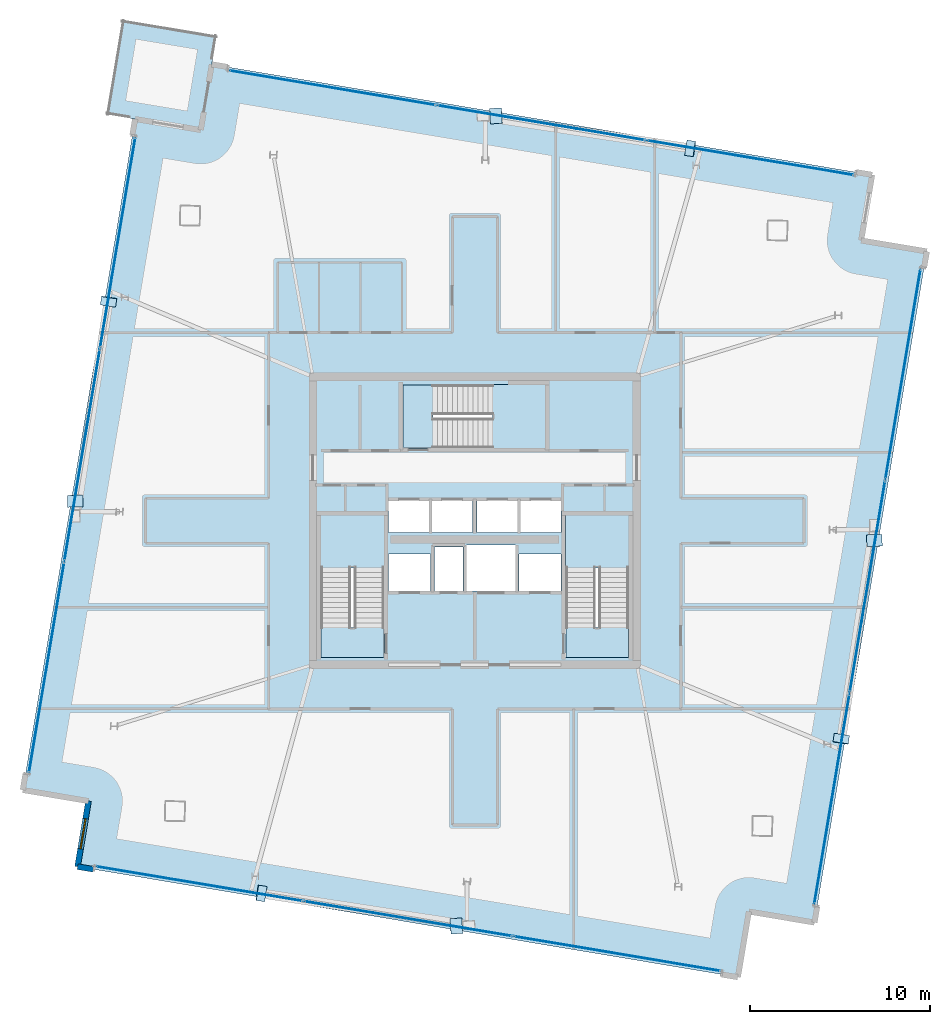
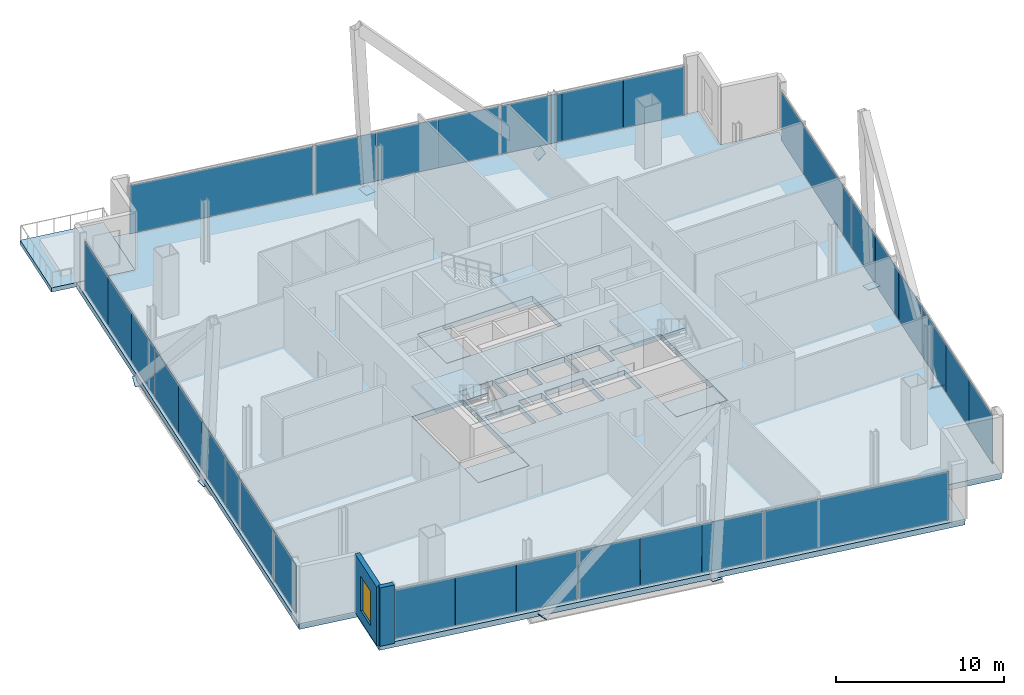
# One storey, part 12 of 18: 36 plates, 8 slabs, 2 walls, 1 window, 1 opening, 7 elements without a shape of their own.
"""IFC4 building model written with IfcOpenShell, lengths in metres."""

import ifcopenshell
import ifcopenshell.guid

model = None  # the IFC model being written
_history = None  # IfcOwnerHistory: only IFC2X3 demands one
_inside = {}  # id of a spatial element -> (the spatial element, [elements in it])
_under = {}  # id of a project, library or spatial element -> (it, [spatial elements below it])
_declared = {}  # id of a project -> (the project, [libraries it declares])
_typed = {}  # id of a type object -> (the type object, [elements of that type])
_made_of = {}  # id of a material, layer set ... -> (it, [elements and type objects made of it])


def new_model(schema):
    """Start an empty IFC model of exactly this schema.

    Asked for "IFC4X3", IfcOpenShell would pick the latest addendum, in which some entities
    have other attributes; the version numbers below select the first issue.
    IFC2X3 requires an IfcOwnerHistory on every rooted entity: one is made here for all.
    """
    global model, _history
    if schema == "IFC4X3":
        model = ifcopenshell.file(schema_version=(4, 3, 0, 0))
    else:
        model = ifcopenshell.file(schema=schema)
    _inside.clear()
    _under.clear()
    _declared.clear()
    _typed.clear()
    _made_of.clear()
    _history = None
    if model.schema == "IFC2X3":
        org = make("IfcOrganization", Name="unknown")
        user = make(
            "IfcPersonAndOrganization",
            ThePerson=make("IfcPerson", FamilyName="unknown"),
            TheOrganization=org,
        )
        app = make(
            "IfcApplication",
            ApplicationDeveloper=org,
            Version="unknown",
            ApplicationFullName="unknown",
            ApplicationIdentifier="unknown",
        )
        _history = make(
            "IfcOwnerHistory",
            OwningUser=user,
            OwningApplication=app,
            ChangeAction="ADDED",
            CreationDate=0,
        )
    return model


def make(cls, **values):
    """One entity of the class cls with the attributes given. An attribute that is None is left unset."""
    return model.create_entity(
        cls, **{name: value for name, value in values.items() if value is not None}
    )


def rooted(cls, **values):
    """An entity with a GlobalId (a new one), such as an element, a storey or a relation."""
    return make(cls, GlobalId=ifcopenshell.guid.new(), OwnerHistory=_history, **values)


def si_unit(unit_type, name, prefix=None):
    """IfcSIUnit, for example si_unit("LENGTHUNIT", "METRE", prefix="MILLI")."""
    return make("IfcSIUnit", UnitType=unit_type, Prefix=prefix, Name=name)


def assignment(units):
    """IfcUnitAssignment: the units of a project."""
    return None if units is None else make("IfcUnitAssignment", Units=units)


def point(xyz):
    """IfcCartesianPoint."""
    return None if xyz is None else make("IfcCartesianPoint", Coordinates=xyz)


def direction(xyz):
    """IfcDirection."""
    return None if xyz is None else make("IfcDirection", DirectionRatios=xyz)


def frame(location, z_axis=None, x_axis=None):
    """IfcAxis2Placement3D, a coordinate frame: its origin and axes. An axis left out is left unset."""
    return make(
        "IfcAxis2Placement3D",
        Location=point(location),
        Axis=direction(z_axis),
        RefDirection=direction(x_axis),
    )


def frame_2d(location, x_axis=None):
    """IfcAxis2Placement2D, a coordinate frame in the plane: its origin and x axis."""
    return make(
        "IfcAxis2Placement2D", Location=point(location), RefDirection=direction(x_axis)
    )


def origin():
    """The frame at (0, 0, 0) with its axes left unset."""
    return frame((0.0, 0.0, 0.0))


def origin_2d():
    """The frame at (0, 0) in the plane with its x axis left unset."""
    return frame_2d((0.0, 0.0))


def place(relative_to, where):
    """IfcLocalPlacement: puts the frame where relative to a parent placement (None: the world)."""
    return make(
        "IfcLocalPlacement", PlacementRelTo=relative_to, RelativePlacement=where
    )


def context(
    kind, dimensions, precision=None, world=None, true_north=None, identifier=None
):
    """IfcGeometricRepresentationContext, for example the 3D "Model" context."""
    return make(
        "IfcGeometricRepresentationContext",
        ContextIdentifier=identifier,
        ContextType=kind,
        CoordinateSpaceDimension=dimensions,
        Precision=precision,
        WorldCoordinateSystem=world,
        TrueNorth=true_north,
    )


def subcontext(parent, identifier, kind, view, scale=None):
    """IfcGeometricRepresentationSubContext, for example "Body" below "Model"."""
    return make(
        "IfcGeometricRepresentationSubContext",
        ContextIdentifier=identifier,
        ContextType=kind,
        ParentContext=parent,
        TargetScale=scale,
        TargetView=view,
    )


def project(units=None, contexts=None):
    """IfcProject with its units and contexts."""
    return rooted(
        "IfcProject",
        Name="project",
        RepresentationContexts=contexts,
        UnitsInContext=assignment(units),
    )


def spatial(cls, under=None, at=None, **own):
    """A site, building, storey or space (cls), placed at a placement, below another one or the project."""
    s = rooted(cls, ObjectPlacement=at, **own)
    if under is not None:
        _under.setdefault(under.id(), (under, []))[1].append(s)
    return s


def polyline(points):
    """IfcPolyline through the points."""
    return make("IfcPolyline", Points=[point(p) for p in points])


def profile(cls, at=None, kind="AREA", **sizes):
    """A parametric profile (cls). Its sizes go by their IFC names, for example OverallWidth=200.0."""
    return make(cls, ProfileType=kind, Position=at, **sizes)


def rectangle(**sizes):
    """IfcRectangleProfileDef."""
    return profile("IfcRectangleProfileDef", **sizes)


def outline(outer, holes=None, kind="AREA"):
    """IfcArbitraryClosedProfileDef: a profile drawn as a closed curve; with holes, ...WithVoids."""
    if holes is None:
        return make("IfcArbitraryClosedProfileDef", ProfileType=kind, OuterCurve=outer)
    return make(
        "IfcArbitraryProfileDefWithVoids",
        ProfileType=kind,
        OuterCurve=outer,
        InnerCurves=holes,
    )


def extrude(swept, where, along, depth):
    """IfcExtrudedAreaSolid: the profile swept, set in the frame where, extruded along a direction by depth."""
    return make(
        "IfcExtrudedAreaSolid",
        SweptArea=swept,
        Position=where,
        ExtrudedDirection=direction(along),
        Depth=depth,
    )


def shape(context_of_items, identifier, shape_type, items):
    """IfcShapeRepresentation: the items that make up one representation, for example the "Body"."""
    return make(
        "IfcShapeRepresentation",
        ContextOfItems=context_of_items,
        RepresentationIdentifier=identifier,
        RepresentationType=shape_type,
        Items=items,
    )


def source(mapping_origin, context_of_items, identifier, shape_type, items):
    """IfcRepresentationMap: a shape defined once, which mapped items show again and again."""
    return make(
        "IfcRepresentationMap",
        MappingOrigin=mapping_origin,
        MappedRepresentation=shape(context_of_items, identifier, shape_type, items),
    )


def transform(
    local_origin,
    x_axis=None,
    y_axis=None,
    z_axis=None,
    scale=None,
    scale2=None,
    scale3=None,
    uniform=True,
):
    """IfcCartesianTransformationOperator3D, or its non-uniform kind. x_axis, y_axis, z_axis: its Axis1, 2, 3."""
    if uniform:
        return make(
            "IfcCartesianTransformationOperator3D",
            Axis1=direction(x_axis),
            Axis2=direction(y_axis),
            LocalOrigin=point(local_origin),
            Scale=scale,
            Axis3=direction(z_axis),
        )
    return make(
        "IfcCartesianTransformationOperator3DnonUniform",
        Axis1=direction(x_axis),
        Axis2=direction(y_axis),
        LocalOrigin=point(local_origin),
        Scale=scale,
        Axis3=direction(z_axis),
        Scale2=scale2,
        Scale3=scale3,
    )


def mapped(mapping_source, mapping_target):
    """IfcMappedItem: shows the shape of a source again, moved by a transform."""
    return make(
        "IfcMappedItem", MappingSource=mapping_source, MappingTarget=mapping_target
    )


def material(Name=None, Category=None):
    """IfcMaterial."""
    return make("IfcMaterial", Name=Name, Category=Category)


def layer(
    of_material, thickness, ventilated=None, Name=None, Category=None, Priority=None
):
    """IfcMaterialLayer: one layer of a wall or slab, of a material (None: an air gap)."""
    return make(
        "IfcMaterialLayer",
        Material=of_material,
        LayerThickness=thickness,
        IsVentilated=ventilated,
        Name=Name,
        Category=Category,
        Priority=Priority,
    )


def layer_set(layers, Name=None):
    """IfcMaterialLayerSet."""
    return make("IfcMaterialLayerSet", MaterialLayers=layers, LayerSetName=Name)


def made_of(thing, what):
    """Note that an element or type object is made of a material, layer set ...; save() writes the relation."""
    if what is not None:
        _made_of.setdefault(what.id(), (what, []))[1].append(thing)
    return thing


def type_object(cls, material=None, **own):
    """A type object (cls), such as IfcWallType, which elements share."""
    return made_of(rooted(cls, **own), material)


def element(
    cls,
    number,
    at=None,
    inside=None,
    cuts=None,
    type_object=None,
    material=None,
    context=None,
    identifier="Body",
    shape_type=None,
    held_by="IfcProductDefinitionShape",
    body=None,
    shapes=None,
    **own,
):
    """One element of the class cls, such as IfcWall. Its Tag is "e" and its number.

    at: its placement. inside: the storey or other place that contains it. cuts: it is an
    opening in that element (IfcRelVoidsElement). A single representation is given by context,
    identifier, shape_type and body (its items); several are given by shapes. held_by: the class
    of the entity that holds the representations. save() writes the other relations.
    """
    e = rooted(cls, Tag="e%d" % number, ObjectPlacement=at, **own)
    if body is not None:
        shapes = [shape(context, identifier, shape_type, body)]
    if shapes is not None:
        e.Representation = make(held_by, Representations=shapes)
    if inside is not None:
        _inside.setdefault(inside.id(), (inside, []))[1].append(e)
    if cuts is not None:
        rooted(
            "IfcRelVoidsElement", RelatingBuildingElement=cuts, RelatedOpeningElement=e
        )
    if type_object is not None:
        _typed.setdefault(type_object.id(), (type_object, []))[1].append(e)
    return made_of(e, material)


def fill(opening, filler):
    """IfcRelFillsElement: the door or window that sits in an opening."""
    return rooted(
        "IfcRelFillsElement",
        RelatingOpeningElement=opening,
        RelatedBuildingElement=filler,
    )


def aggregate(whole, parts):
    """IfcRelAggregates: a whole, such as a stair, and the parts it consists of."""
    return rooted("IfcRelAggregates", RelatingObject=whole, RelatedObjects=parts)


def save(model, path):
    """Write the relations noted so far, then the file.

    IfcRelAggregates (storeys below a building ...), IfcRelContainedInSpatialStructure (elements
    in a storey), IfcRelDefinesByType, IfcRelAssociatesMaterial and IfcRelDeclares: one each for
    every whole, place, type object, material and project.
    """
    for whole, parts in _under.values():
        aggregate(whole, parts)
    for where, things in _inside.values():
        rooted(
            "IfcRelContainedInSpatialStructure",
            RelatedElements=things,
            RelatingStructure=where,
        )
    for kind, things in _typed.values():
        rooted("IfcRelDefinesByType", RelatedObjects=things, RelatingType=kind)
    for what, things in _made_of.values():
        rooted("IfcRelAssociatesMaterial", RelatedObjects=things, RelatingMaterial=what)
    for by, libraries in _declared.values():
        rooted("IfcRelDeclares", RelatingContext=by, RelatedDefinitions=libraries)
    model.write(path)


model = new_model("IFC4")

# Units and contexts
model_context = context("Model", 3, precision=1e-05, world=origin(), true_north=direction((0.0, 1.0)))
body_context = subcontext(model_context, "Body", "Model", "MODEL_VIEW")
ifc_project = project(units=[si_unit("LENGTHUNIT", "METRE"), si_unit("AREAUNIT", "SQUARE_METRE"), si_unit("VOLUMEUNIT", "CUBIC_METRE"), si_unit("PLANEANGLEUNIT", "RADIAN"), si_unit("MASSUNIT", "GRAM", prefix="KILO")], contexts=[model_context])

# Site, building, storey
site_placement = place(None, origin())
site = spatial("IfcSite", under=ifc_project, at=site_placement, CompositionType="ELEMENT")
building_placement = place(site_placement, origin())
building = spatial("IfcBuilding", under=site, at=building_placement, Name="Haldenkirk Collegiate Tower", CompositionType="ELEMENT")
storey_placement = place(building_placement, frame((0.0, 0.0, 298.199951171875)))
storey = spatial("IfcBuildingStorey", under=building, at=storey_placement, Name="L75", CompositionType="ELEMENT", Elevation=298.199951171875)

# Slab
ifc_material_1 = material(Name="Concrete f'c 40 MPa", Category="concrete")
ifc_layer_1 = layer(ifc_material_1, 0.39990234375)
ifc_layer_set_1 = layer_set([ifc_layer_1], Name="Concrete f'c 40 MPa")
slab_type_1 = type_object("IfcSlabType", Name="SLB-FLR-400", PredefinedType="FLOOR", material=ifc_layer_set_1)
slab_1_placement = place(storey_placement, frame((0.0, 0.0, -0.39990234375)))
element("IfcSlab", 1, at=slab_1_placement, inside=storey, type_object=slab_type_1, Name="L75 composite structural floor slab", PredefinedType="FLOOR", context=body_context, shape_type="SweptSolid", body=[
    extrude(outline(polyline([(54.874755859375, 3.6787109375), (61.113525390625, 40.960205078125), (57.46435546875, 41.57080078125), (58.074951171875, 45.22021484375), (21.38525390625, 51.35986328125), (20.7744140625, 47.710693359375), (17.125244140625, 48.3212890625), (10.886474609375, 11.039794921875), (14.53564453125, 10.42919921875), (13.925048828125, 6.77978515625), (50.61474609375, 0.64013671875), (51.2255859375, 4.289306640625), (54.874755859375, 3.6787109375)]), holes=[polyline([(27.449951171875, 18.39990234375), (30.949951171875, 18.39990234375), (30.949951171875, 26.300048828125), (27.449951171875, 26.300048828125), (27.449951171875, 18.39990234375)]), polyline([(41.050048828125, 18.39990234375), (44.550048828125, 18.39990234375), (44.550048828125, 26.300048828125), (41.050048828125, 26.300048828125), (41.050048828125, 18.39990234375)]), polyline([(32.0, 30.050048828125), (39.89990234375, 30.050048828125), (39.89990234375, 33.550048828125), (32.0, 33.550048828125), (32.0, 30.050048828125)]), polyline([(33.75, 22.10009765625), (35.35009765625, 22.10009765625), (35.35009765625, 24.550048828125), (33.75, 24.550048828125), (33.75, 22.10009765625)]), polyline([(31.199951171875, 25.35009765625), (33.47998046875, 25.35009765625), (33.47998046875, 27.14990234375), (31.199951171875, 27.14990234375), (31.199951171875, 25.35009765625)]), polyline([(33.60009765625, 25.35009765625), (35.8798828125, 25.35009765625), (35.8798828125, 27.14990234375), (33.60009765625, 27.14990234375), (33.60009765625, 25.35009765625)]), polyline([(36.1201171875, 25.35009765625), (38.39990234375, 25.35009765625), (38.39990234375, 27.14990234375), (36.1201171875, 27.14990234375), (36.1201171875, 25.35009765625)]), polyline([(38.52001953125, 25.35009765625), (40.800048828125, 25.35009765625), (40.800048828125, 27.14990234375), (38.52001953125, 27.14990234375), (38.52001953125, 25.35009765625)]), polyline([(31.199951171875, 22.10009765625), (33.550048828125, 22.10009765625), (33.550048828125, 24.14990234375), (31.199951171875, 24.14990234375), (31.199951171875, 22.10009765625)]), polyline([(38.449951171875, 22.10009765625), (40.800048828125, 22.10009765625), (40.800048828125, 24.14990234375), (38.449951171875, 24.14990234375), (38.449951171875, 22.10009765625)]), polyline([(35.550048828125, 22.10009765625), (38.25, 22.10009765625), (38.25, 24.64990234375), (35.550048828125, 24.64990234375), (35.550048828125, 22.10009765625)])]), origin(), (0.0, 0.0, 1.0), 0.39990234375),
])

# Stair, slab
stair_type = type_object("IfcStairType", Name="STR-DOGLEG-1650", PredefinedType="HALF_TURN_STAIR", material=ifc_material_1)
stair_1_placement = place(storey_placement, origin())
stair_1 = element("IfcStair", 2, at=stair_1_placement, inside=storey, type_object=stair_type, Name="L75 Core Exit Stair ST-1", PredefinedType="HALF_TURN_STAIR")
ifc_layer_2 = layer(ifc_material_1, 0.199951171875)
ifc_layer_set_2 = layer_set([ifc_layer_2], Name="Concrete f'c 40 MPa")
slab_type_2 = type_object("IfcSlabType", Name="SLB-LANDING-200", PredefinedType="LANDING", material=ifc_layer_set_2)
slab_2_placement = place(storey_placement, frame((0.0, 0.0, 2.050048828125)))
slab_2 = element("IfcSlab", 3, at=slab_2_placement, type_object=slab_type_2, Name="ST-1 landing 1", PredefinedType="LANDING", context=body_context, shape_type="SweptSolid", body=[
    extrude(outline(polyline([(30.97509765625, 23.385009765625), (27.425048828125, 23.385009765625), (27.425048828125, 26.324951171875), (30.97509765625, 26.324951171875), (30.97509765625, 23.385009765625)])), origin(), (0.0, 0.0, 1.0), 0.199951171875),
])
aggregate(stair_1, [slab_2])

stair_2_placement = place(storey_placement, origin())
stair_2 = element("IfcStair", 4, at=stair_2_placement, inside=storey, type_object=stair_type, Name="L75 Core Exit Stair ST-2", PredefinedType="HALF_TURN_STAIR")
slab_3_placement = place(storey_placement, frame((0.0, 0.0, 2.050048828125)))
slab_3 = element("IfcSlab", 5, at=slab_3_placement, type_object=slab_type_2, Name="ST-2 landing 1", PredefinedType="LANDING", context=body_context, shape_type="SweptSolid", body=[
    extrude(outline(polyline([(44.574951171875, 23.385009765625), (41.02490234375, 23.385009765625), (41.02490234375, 26.324951171875), (44.574951171875, 26.324951171875), (44.574951171875, 23.385009765625)])), origin(), (0.0, 0.0, 1.0), 0.199951171875),
])
aggregate(stair_2, [slab_3])

stair_3_placement = place(storey_placement, origin())
stair_3 = element("IfcStair", 6, at=stair_3_placement, inside=storey, type_object=stair_type, Name="L75 Core Exit Stair ST-3", PredefinedType="HALF_TURN_STAIR")
slab_4_placement = place(storey_placement, frame((0.0, 0.0, 2.050048828125)))
slab_4 = element("IfcSlab", 7, at=slab_4_placement, type_object=slab_type_2, Name="ST-3 landing 1", PredefinedType="LANDING", context=body_context, shape_type="SweptSolid", body=[
    extrude(outline(polyline([(36.985107421875, 30.02490234375), (36.985107421875, 33.574951171875), (39.925048828125, 33.574951171875), (39.925048828125, 30.02490234375), (36.985107421875, 30.02490234375)])), origin(), (0.0, 0.0, 1.0), 0.199951171875),
])
aggregate(stair_3, [slab_4])

# Slabs
ifc_layer_3 = layer(ifc_material_1, 0.31005859375)
ifc_layer_set_3 = layer_set([ifc_layer_3], Name="Concrete f'c 40 MPa")
slab_type_3 = type_object("IfcSlabType", Name="SLB-SKYGARDEN-310", PredefinedType="ROOF", material=ifc_layer_set_3)
slab_5_placement = place(storey_placement, frame((0.0, 0.0, -0.31005859375)))
element("IfcSlab", 8, at=slab_5_placement, inside=storey, type_object=slab_type_3, Name="L75 sky-garden planted terrace slab", PredefinedType="ROOF", context=body_context, shape_type="SweptSolid", body=[
    extrude(outline(polyline([(20.7744140625, 47.710693359375), (21.649169921875, 52.93798828125), (16.421875, 53.812744140625), (15.547119140625, 48.58544921875), (20.7744140625, 47.710693359375)])), origin(), (0.0, 0.0, 1.0), 0.31005859375),
])
ifc_layer_4 = layer(ifc_material_1, 0.25)
ifc_layer_set_4 = layer_set([ifc_layer_4], Name="Concrete f'c 40 MPa")
slab_type_4 = type_object("IfcSlabType", Name="SLB-STAIRLAND-250", PredefinedType="LANDING", material=ifc_layer_set_4)
slab_6_placement = place(storey_placement, frame((0.0, 0.0, -0.25)))
element("IfcSlab", 9, at=slab_6_placement, inside=storey, type_object=slab_type_4, Name="L75 stair ST1 structural floor landing slab", PredefinedType="LANDING", context=body_context, shape_type="SweptSolid", body=[
    extrude(outline(polyline([(27.4599609375, 18.409912109375), (30.93994140625, 18.409912109375), (30.93994140625, 20.080078125), (27.4599609375, 20.080078125), (27.4599609375, 18.409912109375)])), origin(), (0.0, 0.0, 1.0), 0.25),
])
slab_7_placement = place(storey_placement, frame((0.0, 0.0, -0.25)))
element("IfcSlab", 10, at=slab_7_placement, inside=storey, type_object=slab_type_4, Name="L75 stair ST2 structural floor landing slab", PredefinedType="LANDING", context=body_context, shape_type="SweptSolid", body=[
    extrude(outline(polyline([(41.06005859375, 18.409912109375), (44.5400390625, 18.409912109375), (44.5400390625, 20.080078125), (41.06005859375, 20.080078125), (41.06005859375, 18.409912109375)])), origin(), (0.0, 0.0, 1.0), 0.25),
])
slab_8_placement = place(storey_placement, frame((0.0, 0.0, -0.25)))
element("IfcSlab", 11, at=slab_8_placement, inside=storey, type_object=slab_type_4, Name="L75 stair ST3 structural floor landing slab", PredefinedType="LANDING", context=body_context, shape_type="SweptSolid", body=[
    extrude(outline(polyline([(32.010009765625, 30.06005859375), (33.679931640625, 30.06005859375), (33.679931640625, 33.5400390625), (32.010009765625, 33.5400390625), (32.010009765625, 30.06005859375)])), origin(), (0.0, 0.0, 1.0), 0.25),
])

# Plates
ifc_material_2 = material(Name="Steel ASTM A572 Grade 50", Category="steel")
ifc_layer_5 = layer(ifc_material_2, 0.034912109375)
ifc_layer_set_5 = layer_set([ifc_layer_5], Name="Steel ASTM A572 Grade 50")
plate_type_1 = type_object("IfcPlateType", Name="PLT-CAP-EXT-760X600", PredefinedType="USERDEFINED", material=ifc_layer_set_5)
shared_shape_1 = source(origin(), body_context, "Body", "SweptSolid", [
    extrude(rectangle(XDim=0.860107421875, YDim=0.659912109375, at=origin_2d()), origin(), (0.0, 0.0, 1.0), 0.034912109375),
])
for number, where, z_axis, x_axis, name in (
    (12, (56.362060546875, 13.898681640625, -0.40771484375), (-0.106385024039, -0.694466156925, -0.711617160801), (0.988469039015, -0.151423112198, -1.06349e-07), "Perimeter Mega Brace Z6 L75-L77 SL end cap plate 1"),
    (13, (58.203857421875, 24.90478515625, -0.4072265625), (0.002242999239, -0.068977976582, -0.997615661315), (0.999471541692, 0.032505958636, -3.82258e-07), "Perimeter Mega Brace Z6 L75-L77 SR end cap plate 1"),
    (14, (47.956298828125, 46.6904296875, -0.40771484375), (0.68392603352, -0.10507400515, -0.721945035384), (0.151851985721, 0.988403244851, 5.3518e-08), "Perimeter Mega Brace Z6 L75-L77 EL end cap plate 1"),
    (15, (37.174072265625, 48.49462890625, -0.4072265625), (0.058908971693, 0.003107998507, -0.998258520324), (-0.052690975715, 0.998610865692, -2.90624e-07), "Perimeter Mega Brace Z6 L75-L77 ER end cap plate 1"),
    (16, (15.64794921875, 38.160400390625, -0.40771484375), (0.106711023608, 0.69626615404, -0.709807157036), (-0.988458331734, 0.151492991338, 5.9269e-08), "Perimeter Mega Brace Z6 L75-L77 NL end cap plate 1"),
    (17, (13.795654296875, 27.09130859375, -0.4072265625), (-0.002267999683, 0.068814990394, -0.997626860742), (-0.999457297824, -0.032941005239, -6.6281e-08), "Perimeter Mega Brace Z6 L75-L77 NR end cap plate 1"),
    (18, (24.1552734375, 5.291015625, -0.40771484375), (-0.684510543373, 0.104704930153, -0.721444518735), (-0.151204214684, -0.988502547018, -2.92452e-07), "Perimeter Mega Brace Z6 L75-L77 WL end cap plate 1"),
    (19, (34.97607421875, 3.47998046875, -0.4072265625), (-0.05722002257, -0.004046001596, -0.998353393788), (0.070534024493, -0.997509374086, -3.401e-08), "Perimeter Mega Brace Z6 L75-L77 WR end cap plate 1"),
):
    element("IfcPlate", number, at=place(storey_placement, frame(where, z_axis=z_axis, x_axis=x_axis)), inside=storey, type_object=plate_type_1, Name=name, ObjectType="END CAP PLATE", PredefinedType="USERDEFINED", context=body_context, shape_type="MappedRepresentation", body=[
        mapped(shared_shape_1, transform((0.0, 0.0, 0.0), x_axis=(1.0, 0.0, 0.0), y_axis=(0.0, 1.0, 0.0), z_axis=(0.0, 0.0, 1.0), scale=1.0)),
    ])

# Curtain wall, plate
ifc_material_3 = material(Name="Anodised architectural bronze aluminium", Category="aluminium")
curtain_wall_type = type_object("IfcCurtainWallType", Name="CW-SYS4-SKYGARDEN", PredefinedType="USERDEFINED", material=ifc_material_3)
curtain_wall_1_placement = place(storey_placement, origin())
curtain_wall_1 = element("IfcCurtainWall", 20, at=curtain_wall_1_placement, inside=storey, type_object=curtain_wall_type, Name="L75 Sky-garden tall bronze curtain wall", ObjectType="UNITISED CURTAIN WALL", PredefinedType="USERDEFINED")
ifc_material_4 = material(Name="Low-E argon triple insulating glass", Category="glass")
ifc_layer_6 = layer(ifc_material_4, 0.0458984375)
ifc_layer_set_6 = layer_set([ifc_layer_6], Name="Low-E argon triple insulating glass")
plate_type_2 = type_object("IfcPlateType", Name="CW-PNL-04", PredefinedType="CURTAIN_PANEL", material=ifc_layer_set_6)
shared_shape_2 = source(origin(), body_context, "Body", "SweptSolid", [
    extrude(rectangle(XDim=11.864990234375, YDim=0.0458984375, at=origin_2d()), origin(), (0.0, 0.0, 1.0), 3.51806640625),
])
plate_1_placement = place(storey_placement, frame((59.793701171875, 34.162353515625, 0.090087890625), z_axis=(0.0, 0.0, 1.0), x_axis=(-0.165050304006, -0.986285150019, 0.0)))
plate_1 = element("IfcPlate", 21, at=plate_1_placement, type_object=plate_type_2, Name="CW-04 panel 1.1", PredefinedType="CURTAIN_PANEL", context=body_context, shape_type="MappedRepresentation", body=[
    mapped(shared_shape_2, transform((0.0, 0.0, 0.0), x_axis=(1.0, 0.0, 0.0), y_axis=(0.0, 1.0, 0.0), z_axis=(0.0, 0.0, 1.0), scale=1.0)),
])

curtain_wall_2_placement = place(storey_placement, origin())
curtain_wall_2 = element("IfcCurtainWall", 22, at=curtain_wall_2_placement, inside=storey, type_object=curtain_wall_type, Name="L75 Sky-garden tall bronze curtain wall", ObjectType="UNITISED CURTAIN WALL", PredefinedType="USERDEFINED")
plate_2_placement = place(storey_placement, frame((12.206298828125, 17.837646484375, 0.090087890625), z_axis=(0.0, 0.0, 1.0), x_axis=(0.165050304006, 0.986285150019, 0.0)))
plate_2 = element("IfcPlate", 23, at=plate_2_placement, type_object=plate_type_2, Name="CW-04 panel 1.1", PredefinedType="CURTAIN_PANEL", context=body_context, shape_type="MappedRepresentation", body=[
    mapped(shared_shape_2, transform((0.0, 0.0, 0.0), x_axis=(1.0, 0.0, 0.0), y_axis=(0.0, 1.0, 0.0), z_axis=(0.0, 0.0, 1.0), scale=1.0)),
])

# Plate
ifc_material_5 = material(Name="Bronze-anodised insulated aluminium spandrel panel", Category="aluminium")
ifc_layer_7 = layer(ifc_material_5, 0.0458984375)
ifc_layer_set_7 = layer_set([ifc_layer_7], Name="Bronze-anodised insulated aluminium spandrel panel")
plate_type_3 = type_object("IfcPlateType", Name="CW-SPD-04", PredefinedType="CURTAIN_PANEL", material=ifc_layer_set_7)
shared_shape_3 = source(origin(), body_context, "Body", "SweptSolid", [
    extrude(rectangle(XDim=3.95751953125, YDim=0.0458984375, at=origin_2d()), origin(), (0.0, 0.0, 1.0), 3.51806640625),
])
plate_3_placement = place(storey_placement, frame((58.472900390625, 26.270751953125, 0.090087890625), z_axis=(0.0, 0.0, 1.0), x_axis=(-0.165050304006, -0.986285150019, 0.0)))
plate_3 = element("IfcPlate", 24, at=plate_3_placement, type_object=plate_type_3, Name="CW-04 spandrel panel 2.1a", PredefinedType="CURTAIN_PANEL", context=body_context, shape_type="MappedRepresentation", body=[
    mapped(shared_shape_3, transform((0.0, 0.0, 0.0), x_axis=(1.0, 0.0, 0.0), y_axis=(0.0, 1.0, 0.0), z_axis=(0.0, 0.0, 1.0), scale=1.0)),
])

plate_4_placement = place(storey_placement, frame((57.160400390625, 18.427490234375, 0.090087890625), z_axis=(0.0, 0.0, 1.0), x_axis=(-0.165050304006, -0.986285150019, 0.0)))
plate_4 = element("IfcPlate", 25, at=plate_4_placement, type_object=plate_type_3, Name="CW-04 spandrel panel 2.1c", PredefinedType="CURTAIN_PANEL", context=body_context, shape_type="MappedRepresentation", body=[
    mapped(shared_shape_3, transform((0.0, 0.0, 0.0), x_axis=(1.0, 0.0, 0.0), y_axis=(0.0, 1.0, 0.0), z_axis=(0.0, 0.0, 1.0), scale=1.0)),
])

plate_5_placement = place(storey_placement, frame((13.527099609375, 25.729248046875, 0.090087890625), z_axis=(0.0, 0.0, 1.0), x_axis=(0.165050304006, 0.986285150019, 0.0)))
plate_5 = element("IfcPlate", 26, at=plate_5_placement, type_object=plate_type_3, Name="CW-04 spandrel panel 2.1a", PredefinedType="CURTAIN_PANEL", context=body_context, shape_type="MappedRepresentation", body=[
    mapped(shared_shape_3, transform((0.0, 0.0, 0.0), x_axis=(1.0, 0.0, 0.0), y_axis=(0.0, 1.0, 0.0), z_axis=(0.0, 0.0, 1.0), scale=1.0)),
])

plate_6_placement = place(storey_placement, frame((14.839599609375, 33.572509765625, 0.090087890625), z_axis=(0.0, 0.0, 1.0), x_axis=(0.165050304006, 0.986285150019, 0.0)))
plate_6 = element("IfcPlate", 27, at=plate_6_placement, type_object=plate_type_3, Name="CW-04 spandrel panel 2.1c", PredefinedType="CURTAIN_PANEL", context=body_context, shape_type="MappedRepresentation", body=[
    mapped(shared_shape_3, transform((0.0, 0.0, 0.0), x_axis=(1.0, 0.0, 0.0), y_axis=(0.0, 1.0, 0.0), z_axis=(0.0, 0.0, 1.0), scale=1.0)),
])

shared_shape_4 = source(origin(), body_context, "Body", "SweptSolid", [
    extrude(rectangle(XDim=3.945068359375, YDim=0.0458984375, at=origin_2d()), origin(), (0.0, 0.0, 1.0), 3.51806640625),
])
plate_7_placement = place(storey_placement, frame((57.816650390625, 22.34912109375, 0.090087890625), z_axis=(0.0, 0.0, 1.0), x_axis=(-0.165050304006, -0.986285150019, 0.0)))
plate_7 = element("IfcPlate", 28, at=plate_7_placement, type_object=plate_type_2, Name="CW-04 panel 2.1b", PredefinedType="CURTAIN_PANEL", context=body_context, shape_type="MappedRepresentation", body=[
    mapped(shared_shape_4, transform((0.0, 0.0, 0.0), x_axis=(1.0, 0.0, 0.0), y_axis=(0.0, 1.0, 0.0), z_axis=(0.0, 0.0, 1.0), scale=1.0)),
])

plate_8_placement = place(storey_placement, frame((14.183349609375, 29.65087890625, 0.090087890625), z_axis=(0.0, 0.0, 1.0), x_axis=(0.165050304006, 0.986285150019, 0.0)))
plate_8 = element("IfcPlate", 29, at=plate_8_placement, type_object=plate_type_2, Name="CW-04 panel 2.1b", PredefinedType="CURTAIN_PANEL", context=body_context, shape_type="MappedRepresentation", body=[
    mapped(shared_shape_4, transform((0.0, 0.0, 0.0), x_axis=(1.0, 0.0, 0.0), y_axis=(0.0, 1.0, 0.0), z_axis=(0.0, 0.0, 1.0), scale=1.0)),
])

shared_shape_5 = source(origin(), body_context, "Body", "SweptSolid", [
    extrude(rectangle(XDim=3.9423828125, YDim=0.0458984375, at=origin_2d()), origin(), (0.0, 0.0, 1.0), 3.51806640625),
])
plate_9_placement = place(storey_placement, frame((56.49365234375, 14.44287109375, 0.090087890625), z_axis=(0.0, 0.0, 1.0), x_axis=(-0.165050304006, -0.986285150019, 0.0)))
plate_9 = element("IfcPlate", 30, at=plate_9_placement, type_object=plate_type_3, Name="CW-04 spandrel panel 3.1a", PredefinedType="CURTAIN_PANEL", context=body_context, shape_type="MappedRepresentation", body=[
    mapped(shared_shape_5, transform((0.0, 0.0, 0.0), x_axis=(1.0, 0.0, 0.0), y_axis=(0.0, 1.0, 0.0), z_axis=(0.0, 0.0, 1.0), scale=1.0)),
])

plate_10_placement = place(storey_placement, frame((55.18603515625, 6.62890625, 0.090087890625), z_axis=(0.0, 0.0, 1.0), x_axis=(-0.165050304006, -0.986285150019, 0.0)))
plate_10 = element("IfcPlate", 31, at=plate_10_placement, type_object=plate_type_2, Name="CW-04 panel 3.1c", PredefinedType="CURTAIN_PANEL", context=body_context, shape_type="MappedRepresentation", body=[
    mapped(shared_shape_5, transform((0.0, 0.0, 0.0), x_axis=(1.0, 0.0, 0.0), y_axis=(0.0, 1.0, 0.0), z_axis=(0.0, 0.0, 1.0), scale=1.0)),
])

plate_11_placement = place(storey_placement, frame((15.50634765625, 37.55712890625, 0.090087890625), z_axis=(0.0, 0.0, 1.0), x_axis=(0.165050304006, 0.986285150019, 0.0)))
plate_11 = element("IfcPlate", 32, at=plate_11_placement, type_object=plate_type_3, Name="CW-04 spandrel panel 3.1a", PredefinedType="CURTAIN_PANEL", context=body_context, shape_type="MappedRepresentation", body=[
    mapped(shared_shape_5, transform((0.0, 0.0, 0.0), x_axis=(1.0, 0.0, 0.0), y_axis=(0.0, 1.0, 0.0), z_axis=(0.0, 0.0, 1.0), scale=1.0)),
])

plate_12_placement = place(storey_placement, frame((16.81396484375, 45.37109375, 0.090087890625), z_axis=(0.0, 0.0, 1.0), x_axis=(0.165050304006, 0.986285150019, 0.0)))
plate_12 = element("IfcPlate", 33, at=plate_12_placement, type_object=plate_type_2, Name="CW-04 panel 3.1c", PredefinedType="CURTAIN_PANEL", context=body_context, shape_type="MappedRepresentation", body=[
    mapped(shared_shape_5, transform((0.0, 0.0, 0.0), x_axis=(1.0, 0.0, 0.0), y_axis=(0.0, 1.0, 0.0), z_axis=(0.0, 0.0, 1.0), scale=1.0)),
])

shared_shape_6 = source(origin(), body_context, "Body", "SweptSolid", [
    extrude(rectangle(XDim=3.929931640625, YDim=0.0458984375, at=origin_2d()), origin(), (0.0, 0.0, 1.0), 3.51806640625),
])
plate_13_placement = place(storey_placement, frame((55.83984375, 10.535888671875, 0.090087890625), z_axis=(0.0, 0.0, 1.0), x_axis=(-0.165050304006, -0.986285150019, 0.0)))
plate_13 = element("IfcPlate", 34, at=plate_13_placement, type_object=plate_type_2, Name="CW-04 panel 3.1b", PredefinedType="CURTAIN_PANEL", context=body_context, shape_type="MappedRepresentation", body=[
    mapped(shared_shape_6, transform((0.0, 0.0, 0.0), x_axis=(1.0, 0.0, 0.0), y_axis=(0.0, 1.0, 0.0), z_axis=(0.0, 0.0, 1.0), scale=1.0)),
])

aggregate(curtain_wall_1, [plate_1, plate_3, plate_7, plate_4, plate_9, plate_13, plate_10])

plate_14_placement = place(storey_placement, frame((16.16015625, 41.464111328125, 0.090087890625), z_axis=(0.0, 0.0, 1.0), x_axis=(0.165050304006, 0.986285150019, 0.0)))
plate_14 = element("IfcPlate", 35, at=plate_14_placement, type_object=plate_type_2, Name="CW-04 panel 3.1b", PredefinedType="CURTAIN_PANEL", context=body_context, shape_type="MappedRepresentation", body=[
    mapped(shared_shape_6, transform((0.0, 0.0, 0.0), x_axis=(1.0, 0.0, 0.0), y_axis=(0.0, 1.0, 0.0), z_axis=(0.0, 0.0, 1.0), scale=1.0)),
])

aggregate(curtain_wall_2, [plate_2, plate_5, plate_8, plate_6, plate_11, plate_14, plate_12])

# Curtain wall, plate
curtain_wall_3_placement = place(storey_placement, origin())
curtain_wall_3 = element("IfcCurtainWall", 36, at=curtain_wall_3_placement, inside=storey, type_object=curtain_wall_type, Name="L75 Sky-garden tall bronze curtain wall", ObjectType="UNITISED CURTAIN WALL", PredefinedType="USERDEFINED")
shared_shape_7 = source(origin(), body_context, "Body", "SweptSolid", [
    extrude(rectangle(XDim=11.6650390625, YDim=0.0458984375, at=origin_2d()), origin(), (0.0, 0.0, 1.0), 3.51806640625),
])
plate_15_placement = place(storey_placement, frame((28.08447265625, 50.056396484375, 0.090087890625), z_axis=(0.0, 0.0, 1.0), x_axis=(0.986285448826, -0.165048518423, 0.0)))
plate_15 = element("IfcPlate", 37, at=plate_15_placement, type_object=plate_type_2, Name="CW-04 panel 1.1", PredefinedType="CURTAIN_PANEL", context=body_context, shape_type="MappedRepresentation", body=[
    mapped(shared_shape_7, transform((0.0, 0.0, 0.0), x_axis=(1.0, 0.0, 0.0), y_axis=(0.0, 1.0, 0.0), z_axis=(0.0, 0.0, 1.0), scale=1.0)),
])

curtain_wall_4_placement = place(storey_placement, origin())
curtain_wall_4 = element("IfcCurtainWall", 38, at=curtain_wall_4_placement, inside=storey, type_object=curtain_wall_type, Name="L75 Sky-garden tall bronze curtain wall", ObjectType="UNITISED CURTAIN WALL", PredefinedType="USERDEFINED")
plate_16_placement = place(storey_placement, frame((43.91552734375, 1.943603515625, 0.090087890625), z_axis=(0.0, 0.0, 1.0), x_axis=(-0.986285448826, 0.165048518423, 0.0)))
plate_16 = element("IfcPlate", 39, at=plate_16_placement, type_object=plate_type_2, Name="CW-04 panel 1.1", PredefinedType="CURTAIN_PANEL", context=body_context, shape_type="MappedRepresentation", body=[
    mapped(shared_shape_7, transform((0.0, 0.0, 0.0), x_axis=(1.0, 0.0, 0.0), y_axis=(0.0, 1.0, 0.0), z_axis=(0.0, 0.0, 1.0), scale=1.0)),
])

# Plate
shared_shape_8 = source(origin(), body_context, "Body", "SweptSolid", [
    extrude(rectangle(XDim=3.890869140625, YDim=0.0458984375, at=origin_2d()), origin(), (0.0, 0.0, 1.0), 3.51806640625),
])
plate_17_placement = place(storey_placement, frame((35.844482421875, 48.7578125, 0.090087890625), z_axis=(0.0, 0.0, 1.0), x_axis=(0.986285448826, -0.165048518423, 0.0)))
plate_17 = element("IfcPlate", 40, at=plate_17_placement, type_object=plate_type_3, Name="CW-04 spandrel panel 2.1a", PredefinedType="CURTAIN_PANEL", context=body_context, shape_type="MappedRepresentation", body=[
    mapped(shared_shape_8, transform((0.0, 0.0, 0.0), x_axis=(1.0, 0.0, 0.0), y_axis=(0.0, 1.0, 0.0), z_axis=(0.0, 0.0, 1.0), scale=1.0)),
])

plate_18_placement = place(storey_placement, frame((43.556396484375, 47.46728515625, 0.090087890625), z_axis=(0.0, 0.0, 1.0), x_axis=(0.986285448826, -0.165048518423, 0.0)))
plate_18 = element("IfcPlate", 41, at=plate_18_placement, type_object=plate_type_3, Name="CW-04 spandrel panel 2.1c", PredefinedType="CURTAIN_PANEL", context=body_context, shape_type="MappedRepresentation", body=[
    mapped(shared_shape_8, transform((0.0, 0.0, 0.0), x_axis=(1.0, 0.0, 0.0), y_axis=(0.0, 1.0, 0.0), z_axis=(0.0, 0.0, 1.0), scale=1.0)),
])

plate_19_placement = place(storey_placement, frame((36.155517578125, 3.2421875, 0.090087890625), z_axis=(0.0, 0.0, 1.0), x_axis=(-0.986285448826, 0.165048518423, 0.0)))
plate_19 = element("IfcPlate", 42, at=plate_19_placement, type_object=plate_type_3, Name="CW-04 spandrel panel 2.1a", PredefinedType="CURTAIN_PANEL", context=body_context, shape_type="MappedRepresentation", body=[
    mapped(shared_shape_8, transform((0.0, 0.0, 0.0), x_axis=(1.0, 0.0, 0.0), y_axis=(0.0, 1.0, 0.0), z_axis=(0.0, 0.0, 1.0), scale=1.0)),
])

plate_20_placement = place(storey_placement, frame((28.443603515625, 4.53271484375, 0.090087890625), z_axis=(0.0, 0.0, 1.0), x_axis=(-0.986285448826, 0.165048518423, 0.0)))
plate_20 = element("IfcPlate", 43, at=plate_20_placement, type_object=plate_type_3, Name="CW-04 spandrel panel 2.1c", PredefinedType="CURTAIN_PANEL", context=body_context, shape_type="MappedRepresentation", body=[
    mapped(shared_shape_8, transform((0.0, 0.0, 0.0), x_axis=(1.0, 0.0, 0.0), y_axis=(0.0, 1.0, 0.0), z_axis=(0.0, 0.0, 1.0), scale=1.0)),
])

shared_shape_9 = source(origin(), body_context, "Body", "SweptSolid", [
    extrude(rectangle(XDim=3.87841796875, YDim=0.0458984375, at=origin_2d()), origin(), (0.0, 0.0, 1.0), 3.51806640625),
])
plate_21_placement = place(storey_placement, frame((39.700439453125, 48.112548828125, 0.090087890625), z_axis=(0.0, 0.0, 1.0), x_axis=(0.986285448826, -0.165048518423, 0.0)))
plate_21 = element("IfcPlate", 44, at=plate_21_placement, type_object=plate_type_2, Name="CW-04 panel 2.1b", PredefinedType="CURTAIN_PANEL", context=body_context, shape_type="MappedRepresentation", body=[
    mapped(shared_shape_9, transform((0.0, 0.0, 0.0), x_axis=(1.0, 0.0, 0.0), y_axis=(0.0, 1.0, 0.0), z_axis=(0.0, 0.0, 1.0), scale=1.0)),
])

plate_22_placement = place(storey_placement, frame((32.299560546875, 3.887451171875, 0.090087890625), z_axis=(0.0, 0.0, 1.0), x_axis=(-0.986285448826, 0.165048518423, 0.0)))
plate_22 = element("IfcPlate", 45, at=plate_22_placement, type_object=plate_type_2, Name="CW-04 panel 2.1b", PredefinedType="CURTAIN_PANEL", context=body_context, shape_type="MappedRepresentation", body=[
    mapped(shared_shape_9, transform((0.0, 0.0, 0.0), x_axis=(1.0, 0.0, 0.0), y_axis=(0.0, 1.0, 0.0), z_axis=(0.0, 0.0, 1.0), scale=1.0)),
])

shared_shape_10 = source(origin(), body_context, "Body", "SweptSolid", [
    extrude(rectangle(XDim=3.875732421875, YDim=0.0458984375, at=origin_2d()), origin(), (0.0, 0.0, 1.0), 3.51806640625),
])
plate_23_placement = place(storey_placement, frame((47.47509765625, 46.8115234375, 0.090087890625), z_axis=(0.0, 0.0, 1.0), x_axis=(0.986285448826, -0.165048518423, 0.0)))
plate_23 = element("IfcPlate", 46, at=plate_23_placement, type_object=plate_type_3, Name="CW-04 spandrel panel 3.1a", PredefinedType="CURTAIN_PANEL", context=body_context, shape_type="MappedRepresentation", body=[
    mapped(shared_shape_10, transform((0.0, 0.0, 0.0), x_axis=(1.0, 0.0, 0.0), y_axis=(0.0, 1.0, 0.0), z_axis=(0.0, 0.0, 1.0), scale=1.0)),
])

plate_24_placement = place(storey_placement, frame((55.157470703125, 45.52587890625, 0.090087890625), z_axis=(0.0, 0.0, 1.0), x_axis=(0.986285448826, -0.165048518423, 0.0)))
plate_24 = element("IfcPlate", 47, at=plate_24_placement, type_object=plate_type_2, Name="CW-04 panel 3.1c", PredefinedType="CURTAIN_PANEL", context=body_context, shape_type="MappedRepresentation", body=[
    mapped(shared_shape_10, transform((0.0, 0.0, 0.0), x_axis=(1.0, 0.0, 0.0), y_axis=(0.0, 1.0, 0.0), z_axis=(0.0, 0.0, 1.0), scale=1.0)),
])

plate_25_placement = place(storey_placement, frame((24.52490234375, 5.1884765625, 0.090087890625), z_axis=(0.0, 0.0, 1.0), x_axis=(-0.986285448826, 0.165048518423, 0.0)))
plate_25 = element("IfcPlate", 48, at=plate_25_placement, type_object=plate_type_3, Name="CW-04 spandrel panel 3.1a", PredefinedType="CURTAIN_PANEL", context=body_context, shape_type="MappedRepresentation", body=[
    mapped(shared_shape_10, transform((0.0, 0.0, 0.0), x_axis=(1.0, 0.0, 0.0), y_axis=(0.0, 1.0, 0.0), z_axis=(0.0, 0.0, 1.0), scale=1.0)),
])

plate_26_placement = place(storey_placement, frame((16.842529296875, 6.47412109375, 0.090087890625), z_axis=(0.0, 0.0, 1.0), x_axis=(-0.986285448826, 0.165048518423, 0.0)))
plate_26 = element("IfcPlate", 49, at=plate_26_placement, type_object=plate_type_2, Name="CW-04 panel 3.1c", PredefinedType="CURTAIN_PANEL", context=body_context, shape_type="MappedRepresentation", body=[
    mapped(shared_shape_10, transform((0.0, 0.0, 0.0), x_axis=(1.0, 0.0, 0.0), y_axis=(0.0, 1.0, 0.0), z_axis=(0.0, 0.0, 1.0), scale=1.0)),
])

shared_shape_11 = source(origin(), body_context, "Body", "SweptSolid", [
    extrude(rectangle(XDim=3.86328125, YDim=0.0458984375, at=origin_2d()), origin(), (0.0, 0.0, 1.0), 3.51806640625),
])
plate_27_placement = place(storey_placement, frame((51.31640625, 46.168701171875, 0.090087890625), z_axis=(0.0, 0.0, 1.0), x_axis=(0.986285448826, -0.165048518423, 0.0)))
plate_27 = element("IfcPlate", 50, at=plate_27_placement, type_object=plate_type_2, Name="CW-04 panel 3.1b", PredefinedType="CURTAIN_PANEL", context=body_context, shape_type="MappedRepresentation", body=[
    mapped(shared_shape_11, transform((0.0, 0.0, 0.0), x_axis=(1.0, 0.0, 0.0), y_axis=(0.0, 1.0, 0.0), z_axis=(0.0, 0.0, 1.0), scale=1.0)),
])

aggregate(curtain_wall_3, [plate_15, plate_17, plate_21, plate_18, plate_23, plate_27, plate_24])

plate_28_placement = place(storey_placement, frame((20.68359375, 5.831298828125, 0.090087890625), z_axis=(0.0, 0.0, 1.0), x_axis=(-0.986285448826, 0.165048518423, 0.0)))
plate_28 = element("IfcPlate", 51, at=plate_28_placement, type_object=plate_type_2, Name="CW-04 panel 3.1b", PredefinedType="CURTAIN_PANEL", context=body_context, shape_type="MappedRepresentation", body=[
    mapped(shared_shape_11, transform((0.0, 0.0, 0.0), x_axis=(1.0, 0.0, 0.0), y_axis=(0.0, 1.0, 0.0), z_axis=(0.0, 0.0, 1.0), scale=1.0)),
])

aggregate(curtain_wall_4, [plate_16, plate_19, plate_22, plate_20, plate_25, plate_28, plate_26])

# Wall, opening, window
ifc_material_6 = material(Name="Precast concrete f'c 40 MPa", Category="concrete")
ifc_layer_8 = layer(ifc_material_6, 0.320068359375)
ifc_layer_set_8 = layer_set([ifc_layer_8], Name="Precast concrete f'c 40 MPa")
wall_type = type_object("IfcWallType", Name="WL-EXT-TWR-320", PredefinedType="STANDARD", material=ifc_layer_set_8)
wall_1_placement = place(storey_placement, frame((13.925048828125, 6.77978515625, 0.0), z_axis=(0.0, 0.0, 1.0), x_axis=(0.165019536794, 0.986290298278, 0.0)))
wall_1 = element("IfcWall", 52, at=wall_1_placement, inside=storey, type_object=wall_type, Name="L75 bronze precast notch wall 09", PredefinedType="STANDARD", context=body_context, shape_type="SweptSolid", body=[
    extrude(rectangle(XDim=3.7001953125, YDim=0.320068359375, at=frame_2d((1.85009765625, 0.0))), origin(), (0.0, 0.0, 1.0), 4.239990234375),
])
opening_placement = place(wall_1_placement, frame((1.0, 0.0, 0.75)))
opening = element("IfcOpeningElement", 53, at=opening_placement, cuts=wall_1, Name="Opening W-09", PredefinedType="OPENING", context=body_context, shape_type="SweptSolid", body=[
    extrude(rectangle(XDim=1.699951171875, YDim=2.5, at=frame_2d((0.85009765625, 1.25))), frame((0.0, 0.169921875, 0.0), z_axis=(0.0, -1.0, 0.0), x_axis=(1.0, 0.0, 0.0)), (0.0, 0.0, 1.0), 0.340087890625),
])
ifc_layer_9 = layer(ifc_material_4, 0.090087890625)
ifc_layer_set_9 = layer_set([ifc_layer_9], Name="Low-E argon triple insulating glass")
window_type = type_object("IfcWindowType", Name="WN-SG-1700X2500", PartitioningType="SINGLE_PANEL", PredefinedType="WINDOW", material=ifc_layer_set_9)
window_placement = place(opening_placement, origin())
window = element("IfcWindow", 54, at=window_placement, inside=storey, type_object=window_type, Name="L75 precast-frame academic window 8", OverallHeight=2.5, OverallWidth=1.699951171875, PartitioningType="SINGLE_PANEL", PredefinedType="WINDOW", context=body_context, shape_type="SweptSolid", body=[
    extrude(rectangle(XDim=1.699951171875, YDim=2.5, at=frame_2d((0.85009765625, 1.25))), frame((0.0, 0.030029296875, 0.0), z_axis=(0.0, -1.0, 0.0), x_axis=(1.0, 0.0, 0.0)), (0.0, 0.0, 1.0), 0.06005859375),
])
fill(opening, window)

# Wall
wall_2_placement = place(storey_placement, frame((14.812744140625, 6.63134765625, 0.0), z_axis=(0.0, 0.0, 1.0), x_axis=(-0.98630580598, 0.164926823442, 0.0)))
element("IfcWall", 55, at=wall_2_placement, inside=storey, type_object=wall_type, Name="L75 precast corner pier WR", PredefinedType="STANDARD", context=body_context, shape_type="SweptSolid", body=[
    extrude(rectangle(XDim=0.89990234375, YDim=0.320068359375, at=frame_2d((0.449951171875, 0.0))), origin(), (0.0, 0.0, 1.0), 4.239990234375),
])

save(model, "model.ifc")
